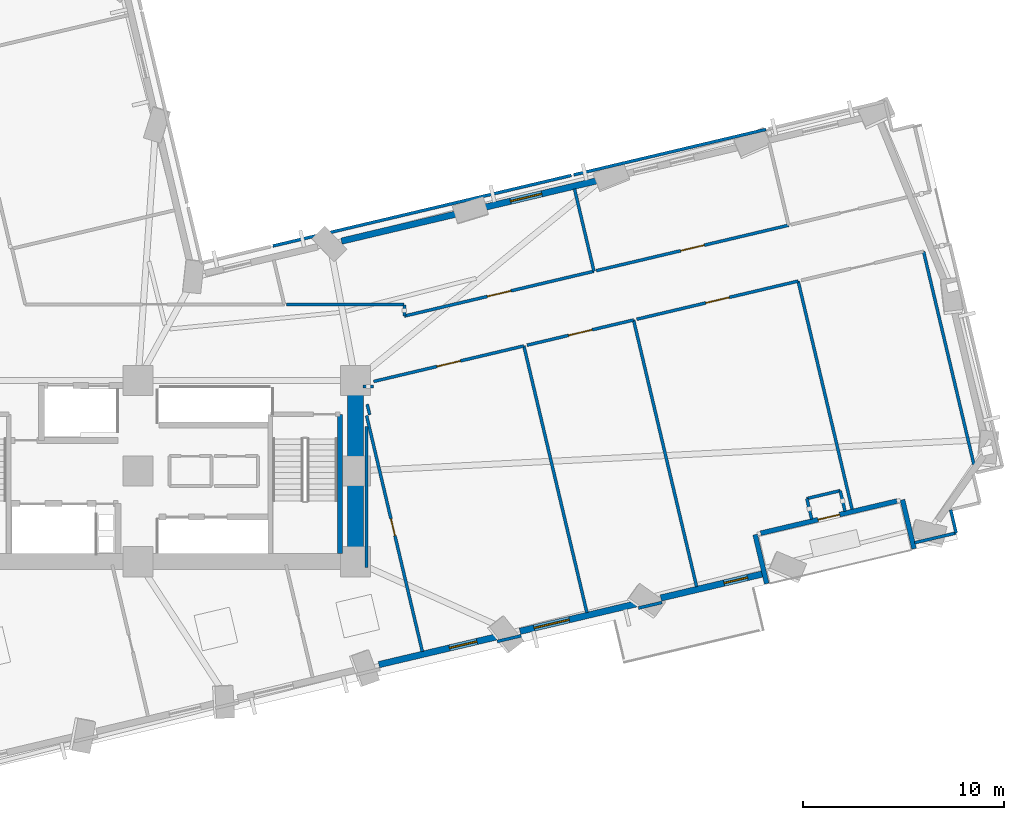
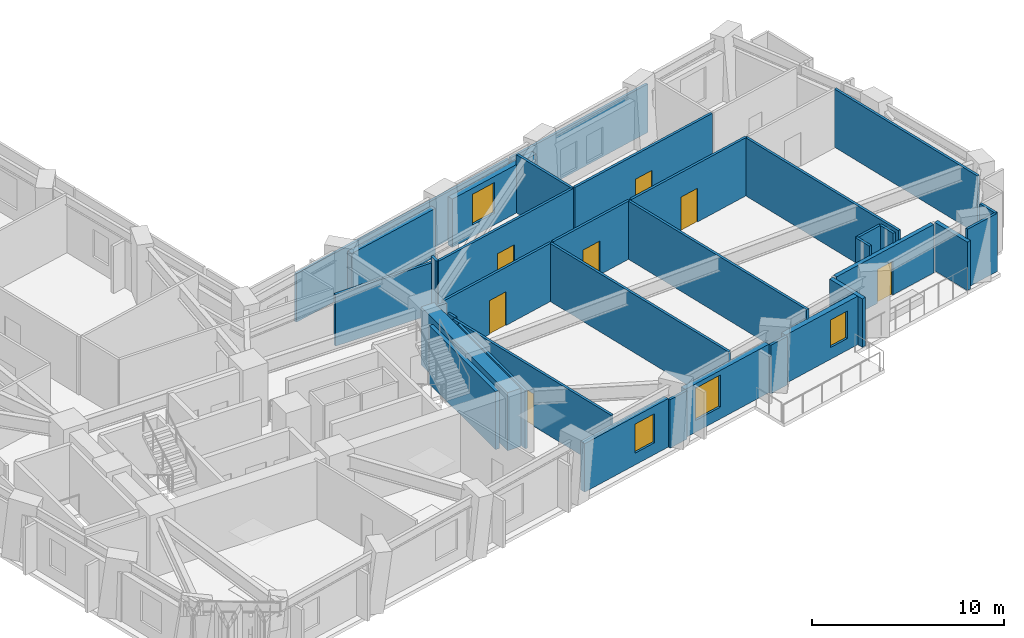
# One storey, part 8 of 14: 35 walls, 7 doors, 4 windows, 11 openings.
"""IFC4 building model written with IfcOpenShell, lengths in metres."""

from ifc_helpers import new_model, si_unit, direction, frame, frame_2d, origin, place, context, subcontext, project, spatial, rectangle, extrude, material, layer, layer_set, type_object, element, fill, save


model = new_model("IFC4")

# Units and contexts
model_context = context("Model", 3, precision=1e-05, world=origin(), true_north=direction((0.0, 1.0)))
body_context = subcontext(model_context, "Body", "Model", "MODEL_VIEW")
ifc_project = project(units=[si_unit("LENGTHUNIT", "METRE"), si_unit("AREAUNIT", "SQUARE_METRE"), si_unit("VOLUMEUNIT", "CUBIC_METRE"), si_unit("PLANEANGLEUNIT", "RADIAN"), si_unit("MASSUNIT", "GRAM", prefix="KILO")], contexts=[model_context])

# Site, building, storey
site_placement = place(None, origin())
site = spatial("IfcSite", under=ifc_project, at=site_placement, CompositionType="ELEMENT")
building_placement = place(site_placement, origin())
building = spatial("IfcBuilding", under=site, at=building_placement, Name="Gaonmaruhae Medical Tower", CompositionType="ELEMENT")
storey_placement = place(building_placement, frame((0.0, 0.0, 79.0)))
storey = spatial("IfcBuildingStorey", under=building, at=storey_placement, Name="L18", CompositionType="ELEMENT", Elevation=79.0)

# Wall
ifc_material_1 = material(Name="Concrete C60/75", Category="concrete")
ifc_layer_1 = layer(ifc_material_1, 0.800048828125)
ifc_layer_set_1 = layer_set([ifc_layer_1], Name="Concrete C60/75")
wall_type_1 = type_object("IfcWallType", Name="CW-800 Lower Core Shear Wall", PredefinedType="SHEAR", material=ifc_layer_set_1)
wall_1_placement = place(storey_placement, frame((35.60009765625, 7.800048828125, 0.0), z_axis=(0.0, 0.0, 1.0), x_axis=(0.0, 1.0, 0.0)))
element("IfcWall", 1, at=wall_1_placement, inside=storey, type_object=wall_type_1, Name="L18 Core Shear Wall CSW-E1", PredefinedType="SHEAR", context=body_context, shape_type="SweptSolid", body=[
    extrude(rectangle(XDim=9.0, YDim=0.800048828125, at=frame_2d((4.5, 0.0))), origin(), (0.0, 0.0, 1.0), 3.699951171875),
])

# Wall, opening, door
ifc_material_2 = material(Name="Precast concrete C45/55", Category="concrete")
ifc_layer_2 = layer(ifc_material_2, 0.239990234375)
ifc_layer_set_2 = layer_set([ifc_layer_2], Name="Precast concrete C45/55")
wall_type_2 = type_object("IfcWallType", Name="EW-240 Ribbon & Shelter Insulated Precast Wall", PredefinedType="SOLIDWALL", material=ifc_layer_set_2)
wall_2_placement = place(storey_placement, frame((62.497802734375, 10.812744140625, 0.0), z_axis=(0.0, 0.0, 1.0), x_axis=(-0.973180186611, -0.230044179209, 0.0)))
wall_2 = element("IfcWall", 2, at=wall_2_placement, inside=storey, type_object=wall_type_2, Name="L18 Recessed Terrace Enclosure Wall TERB", PredefinedType="SOLIDWALL", context=body_context, shape_type="SweptSolid", body=[
    extrude(rectangle(XDim=6.9599609375, YDim=0.239990234375, at=frame_2d((3.47998046875, 0.0))), origin(), (0.0, 0.0, 1.0), 3.0849609375),
])
opening_1_placement = place(wall_2_placement, frame((2.929931640625, 0.0, 0.0)))
opening_1 = element("IfcOpeningElement", 3, at=opening_1_placement, cuts=wall_2, Name="Opening TD-01", PredefinedType="OPENING", context=body_context, shape_type="SweptSolid", body=[
    extrude(rectangle(XDim=1.10009765625, YDim=2.14990234375, at=frame_2d((0.550048828125, 1.074951171875))), frame((0.0, 0.1298828125, 0.0), z_axis=(0.0, -1.0, 0.0), x_axis=(1.0, 0.0, 0.0)), (0.0, 0.0, 1.0), 0.260009765625),
])
ifc_material_3 = material(Name="Anodised aluminium and toughened safety glass", Category="aluminium")
door_type_1 = type_object("IfcDoorType", Name="TD-01 Terrace & Sky Garden Glazed Door 1100x2150", OperationType="NOTDEFINED", PredefinedType="DOOR", material=ifc_material_3)
door_1_placement = place(opening_1_placement, origin())
door_1 = element("IfcDoor", 4, at=door_1_placement, inside=storey, type_object=door_type_1, Name="L18 Outdoor Terrace Access Door SLB-L18-TER", OperationType="SINGLE_SWING_RIGHT", OverallHeight=2.14990234375, OverallWidth=1.10009765625, PredefinedType="DOOR", context=body_context, shape_type="SweptSolid", body=[
    extrude(rectangle(XDim=1.10009765625, YDim=2.14990234375, at=frame_2d((0.550048828125, 1.074951171875))), frame((0.0, 0.02490234375, 0.0), z_axis=(0.0, -1.0, 0.0), x_axis=(1.0, 0.0, 0.0)), (0.0, 0.0, 1.0), 0.050048828125),
])
fill(opening_1, door_1)

# Walls
for number, where, z_axis, x_axis, name in (
    (5, (55.451904296875, 9.147216796875, 0.0), (0.0, 0.0, 1.0), (0.230084311785, -0.97317069904, 0.0), "L18 Recessed Terrace Enclosure Wall TERL"),
    (6, (63.345458984375, 8.4443359375, 0.0), (0.0, 0.0, 1.0), (-0.230084311785, 0.97317069904, 0.0), "L18 Recessed Terrace Enclosure Wall TERR"),
):
    element("IfcWall", number, at=place(storey_placement, frame(where, z_axis=z_axis, x_axis=x_axis)), inside=storey, type_object=wall_type_2, Name=name, PredefinedType="SOLIDWALL", context=body_context, shape_type="SweptSolid", body=[
        extrude(rectangle(XDim=2.5, YDim=0.239990234375, at=frame_2d((1.25, 0.0))), origin(), (0.0, 0.0, 1.0), 3.0849609375),
    ])

# Wall, opening, window
ifc_layer_3 = layer(ifc_material_2, 0.320068359375)
ifc_layer_set_3 = layer_set([ifc_layer_3], Name="Precast concrete C45/55")
wall_type_3 = type_object("IfcWallType", Name="EW-320 Lower Precast Masonry-Frame Facade Wall", PredefinedType="SOLIDWALL", material=ifc_layer_set_3)
wall_3_placement = place(storey_placement, frame((42.58935546875, 4.061767578125, 0.0), z_axis=(0.0, 0.0, 1.0), x_axis=(-0.973176975218, -0.230057764281, 0.0)))
wall_3 = element("IfcWall", 7, at=wall_3_placement, inside=storey, type_object=wall_type_3, Name="L18 Precast Masonry-Frame Wall S04-S05", PredefinedType="SOLIDWALL", context=body_context, shape_type="SweptSolid", body=[
    extrude(rectangle(XDim=5.9853515625, YDim=0.320068359375, at=frame_2d((2.99267578125, 0.0))), origin(), (0.0, 0.0, 1.0), 3.0849609375),
])
opening_2_placement = place(wall_3_placement, frame((0.98388671875, 0.0, 0.75)))
opening_2 = element("IfcOpeningElement", 8, at=opening_2_placement, cuts=wall_3, Name="Opening WN-03", PredefinedType="OPENING", context=body_context, shape_type="SweptSolid", body=[
    extrude(rectangle(XDim=1.39990234375, YDim=1.85009765625, at=frame_2d((0.699951171875, 0.925048828125))), frame((0.0, 0.169921875, 0.0), z_axis=(0.0, -1.0, 0.0), x_axis=(1.0, 0.0, 0.0)), (0.0, 0.0, 1.0), 0.340087890625),
])
ifc_material_4 = material(Name="Anodised aluminium and Low-E double glazing", Category="aluminium")
window_type_1 = type_object("IfcWindowType", Name="WN-03 Isolation Ward Punched Window 1400x1850", PartitioningType="SINGLE_PANEL", PredefinedType="WINDOW", material=ifc_material_4)
window_1_placement = place(opening_2_placement, origin())
window_1 = element("IfcWindow", 9, at=window_1_placement, inside=storey, type_object=window_type_1, Name="L18 Modular Facade Window S04", OverallHeight=1.85009765625, OverallWidth=1.39990234375, PartitioningType="SINGLE_PANEL", PredefinedType="WINDOW", context=body_context, shape_type="SweptSolid", body=[
    extrude(rectangle(XDim=1.39990234375, YDim=1.85009765625, at=frame_2d((0.699951171875, 0.925048828125))), frame((0.0, 0.030029296875, 0.0), z_axis=(0.0, -1.0, 0.0), x_axis=(1.0, 0.0, 0.0)), (0.0, 0.0, 1.0), 0.06005859375),
])
fill(opening_2, window_1)

wall_4_placement = place(storey_placement, frame((49.602294921875, 5.719482421875, 0.0), z_axis=(0.0, 0.0, 1.0), x_axis=(-0.973177813983, -0.230054216157, 0.0)))
wall_4 = element("IfcWall", 10, at=wall_4_placement, inside=storey, type_object=wall_type_3, Name="L18 Precast Masonry-Frame Wall S05-S06", PredefinedType="SOLIDWALL", context=body_context, shape_type="SweptSolid", body=[
    extrude(rectangle(XDim=5.99267578125, YDim=0.320068359375, at=frame_2d((2.996337890625, 0.0))), origin(), (0.0, 0.0, 1.0), 3.0849609375),
])
opening_3_placement = place(wall_4_placement, frame((3.472900390625, 0.0, 0.75)))
opening_3 = element("IfcOpeningElement", 11, at=opening_3_placement, cuts=wall_4, Name="Opening WN-04", PredefinedType="OPENING", context=body_context, shape_type="SweptSolid", body=[
    extrude(rectangle(XDim=1.800048828125, YDim=2.050048828125, at=frame_2d((0.89990234375, 1.02490234375))), frame((0.0, 0.169921875, 0.0), z_axis=(0.0, -1.0, 0.0), x_axis=(1.0, 0.0, 0.0)), (0.0, 0.0, 1.0), 0.340087890625),
])
window_type_2 = type_object("IfcWindowType", Name="WN-04 Clinic & Consult Punched Window 1800x2050", PartitioningType="SINGLE_PANEL", PredefinedType="WINDOW", material=ifc_material_4)
window_2_placement = place(opening_3_placement, origin())
window_2 = element("IfcWindow", 12, at=window_2_placement, inside=storey, type_object=window_type_2, Name="L18 Modular Facade Window S05", OverallHeight=2.050048828125, OverallWidth=1.800048828125, PartitioningType="SINGLE_PANEL", PredefinedType="WINDOW", context=body_context, shape_type="SweptSolid", body=[
    extrude(rectangle(XDim=1.800048828125, YDim=2.050048828125, at=frame_2d((0.89990234375, 1.02490234375))), frame((0.0, 0.030029296875, 0.0), z_axis=(0.0, -1.0, 0.0), x_axis=(1.0, 0.0, 0.0)), (0.0, 0.0, 1.0), 0.06005859375),
])
fill(opening_3, window_2)

wall_5_placement = place(storey_placement, frame((55.890380859375, 7.2060546875, 0.0), z_axis=(0.0, 0.0, 1.0), x_axis=(-0.973176868971, -0.23005821372, 0.0)))
wall_5 = element("IfcWall", 13, at=wall_5_placement, inside=storey, type_object=wall_type_3, Name="L18 Precast Masonry-Frame Wall S06-S07", PredefinedType="SOLIDWALL", context=body_context, shape_type="SweptSolid", body=[
    extrude(rectangle(XDim=5.261474609375, YDim=0.320068359375, at=frame_2d((2.630859375, 0.0))), origin(), (0.0, 0.0, 1.0), 3.0849609375),
])
opening_4_placement = place(wall_5_placement, frame((0.842529296875, 0.0, 0.75)))
opening_4 = element("IfcOpeningElement", 14, at=opening_4_placement, cuts=wall_5, Name="Opening WN-05", PredefinedType="OPENING", context=body_context, shape_type="SweptSolid", body=[
    extrude(rectangle(XDim=1.199951171875, YDim=1.75, at=frame_2d((0.60009765625, 0.875))), frame((0.0, 0.169921875, 0.0), z_axis=(0.0, -1.0, 0.0), x_axis=(1.0, 0.0, 0.0)), (0.0, 0.0, 1.0), 0.340087890625),
])
window_type_3 = type_object("IfcWindowType", Name="WN-05 Support & Staff Punched Window 1200x1750", PartitioningType="SINGLE_PANEL", PredefinedType="WINDOW", material=ifc_material_4)
window_3_placement = place(opening_4_placement, origin())
window_3 = element("IfcWindow", 15, at=window_3_placement, inside=storey, type_object=window_type_3, Name="L18 Modular Facade Window S06", OverallHeight=1.75, OverallWidth=1.199951171875, PartitioningType="SINGLE_PANEL", PredefinedType="WINDOW", context=body_context, shape_type="SweptSolid", body=[
    extrude(rectangle(XDim=1.199951171875, YDim=1.75, at=frame_2d((0.60009765625, 0.875))), frame((0.0, 0.030029296875, 0.0), z_axis=(0.0, -1.0, 0.0), x_axis=(1.0, 0.0, 0.0)), (0.0, 0.0, 1.0), 0.06005859375),
])
fill(opening_4, window_3)

wall_6_placement = place(storey_placement, frame((41.905517578125, 25.376220703125, 0.0), z_axis=(0.0, 0.0, 1.0), x_axis=(0.97318130013, 0.230039468519, 0.0)))
wall_6 = element("IfcWall", 16, at=wall_6_placement, inside=storey, type_object=wall_type_3, Name="L18 Precast Masonry-Frame Wall EN02-EN03", PredefinedType="SOLIDWALL", context=body_context, shape_type="SweptSolid", body=[
    extrude(rectangle(XDim=5.99951171875, YDim=0.320068359375, at=frame_2d((2.999755859375, 0.0))), origin(), (0.0, 0.0, 1.0), 3.0849609375),
])
opening_5_placement = place(wall_6_placement, frame((1.4296875, 0.0, 0.75)))
opening_5 = element("IfcOpeningElement", 17, at=opening_5_placement, cuts=wall_6, Name="Opening WN-01", PredefinedType="OPENING", context=body_context, shape_type="SweptSolid", body=[
    extrude(rectangle(XDim=1.60009765625, YDim=1.949951171875, at=frame_2d((0.800048828125, 0.97509765625))), frame((0.0, 0.169921875, 0.0), z_axis=(0.0, -1.0, 0.0), x_axis=(1.0, 0.0, 0.0)), (0.0, 0.0, 1.0), 0.340087890625),
])
window_type_4 = type_object("IfcWindowType", Name="WN-01 Ward Punched Acoustic Window 1600x1950", PartitioningType="SINGLE_PANEL", PredefinedType="WINDOW", material=ifc_material_4)
window_4_placement = place(opening_5_placement, origin())
window_4 = element("IfcWindow", 18, at=window_4_placement, inside=storey, type_object=window_type_4, Name="L18 Modular Facade Window EN02", OverallHeight=1.949951171875, OverallWidth=1.60009765625, PartitioningType="SINGLE_PANEL", PredefinedType="WINDOW", context=body_context, shape_type="SweptSolid", body=[
    extrude(rectangle(XDim=1.60009765625, YDim=1.949951171875, at=frame_2d((0.800048828125, 0.97509765625))), frame((0.0, 0.030029296875, 0.0), z_axis=(0.0, -1.0, 0.0), x_axis=(1.0, 0.0, 0.0)), (0.0, 0.0, 1.0), 0.06005859375),
])
fill(opening_5, window_4)

# Wall
wall_7_placement = place(storey_placement, frame((34.90234375, 23.720703125, 0.0), z_axis=(0.0, 0.0, 1.0), x_axis=(0.973182953006, 0.230032475923, 0.0)))
element("IfcWall", 19, at=wall_7_placement, inside=storey, type_object=wall_type_3, Name="L18 Precast Masonry-Frame Wall EN03-EN04", PredefinedType="SOLIDWALL", context=body_context, shape_type="SweptSolid", body=[
    extrude(rectangle(XDim=5.987060546875, YDim=0.320068359375, at=frame_2d((2.99365234375, 0.0))), origin(), (0.0, 0.0, 1.0), 3.0849609375),
])

# Wall, opening, door
ifc_material_5 = material(Name="Gypsum board partition", Category="gypsum")
ifc_layer_4 = layer(ifc_material_5, 0.14990234375)
ifc_layer_set_4 = layer_set([ifc_layer_4], Name="Gypsum board partition")
wall_type_4 = type_object("IfcWallType", Name="PW-150 Rated Clinical Corridor Partition", PredefinedType="PARTITIONING", material=ifc_layer_set_4)
wall_8_placement = place(storey_placement, frame((36.14990234375, 15.055908203125, 0.0), z_axis=(0.0, 0.0, 1.0), x_axis=(0.230035574951, -0.973182220479, 0.0)))
wall_8 = element("IfcWall", 20, at=wall_8_placement, inside=storey, type_object=wall_type_4, Name="L18 Interior Partition L18-SUP04-21", PredefinedType="PARTITIONING", context=body_context, shape_type="SweptSolid", body=[
    extrude(rectangle(XDim=12.0458984375, YDim=0.14990234375, at=frame_2d((6.02294921875, 0.0))), origin(), (0.0, 0.0, 1.0), 3.699951171875),
])
opening_6_placement = place(wall_8_placement, frame((5.274169921875, 0.0, 0.0)))
opening_6 = element("IfcOpeningElement", 21, at=opening_6_placement, cuts=wall_8, Name="Opening AD-01", PredefinedType="OPENING", context=body_context, shape_type="SweptSolid", body=[
    extrude(rectangle(XDim=0.860107421875, YDim=2.06005859375, at=frame_2d((0.43017578125, 1.030029296875))), frame((0.0, 0.0849609375, 0.0), z_axis=(0.0, -1.0, 0.0), x_axis=(1.0, 0.0, 0.0)), (0.0, 0.0, 1.0), 0.169921875),
])
ifc_material_6 = material(Name="Powder-coated steel access door", Category="steel")
door_type_2 = type_object("IfcDoorType", Name="AD-01 Riser & Closet Access Fire Door 860x2060", OperationType="NOTDEFINED", PredefinedType="DOOR", material=ifc_material_6)
door_2_placement = place(opening_6_placement, origin())
door_2 = element("IfcDoor", 22, at=door_2_placement, inside=storey, type_object=door_type_2, Name="L18 Clinical Biomedical Charting Office Sliding Door", OperationType="SLIDING_TO_LEFT", OverallHeight=2.06005859375, OverallWidth=0.860107421875, PredefinedType="DOOR", context=body_context, shape_type="SweptSolid", body=[
    extrude(rectangle(XDim=0.860107421875, YDim=2.06005859375, at=frame_2d((0.43017578125, 1.030029296875))), frame((0.0, 0.02490234375, 0.0), z_axis=(0.0, -1.0, 0.0), x_axis=(1.0, 0.0, 0.0)), (0.0, 0.0, 1.0), 0.050048828125),
])
fill(opening_6, door_2)

# Wall
wall_9_placement = place(storey_placement, frame((36.14990234375, 7.5, 0.0), z_axis=(0.0, 0.0, 1.0), x_axis=(0.0, 1.0, 0.0)))
element("IfcWall", 23, at=wall_9_placement, inside=storey, type_object=wall_type_4, Name="L18 Interior Partition L18-SUP04-23", PredefinedType="PARTITIONING", context=body_context, shape_type="SweptSolid", body=[
    extrude(rectangle(XDim=7.012939453125, YDim=0.14990234375, at=frame_2d((3.50634765625, 0.0))), origin(), (0.0, 0.0, 1.0), 3.699951171875),
])

# Wall, opening, door
wall_10_placement = place(storey_placement, frame((36.5, 16.7509765625, 0.0), z_axis=(0.0, 0.0, 1.0), x_axis=(0.973158565996, 0.230135623987, 0.0)))
wall_10 = element("IfcWall", 24, at=wall_10_placement, inside=storey, type_object=wall_type_4, Name="L18 Interior Partition L18-SUP05-24", PredefinedType="PARTITIONING", context=body_context, shape_type="SweptSolid", body=[
    extrude(rectangle(XDim=7.669921875, YDim=0.14990234375, at=frame_2d((3.8349609375, 0.0))), origin(), (0.0, 0.0, 1.0), 3.699951171875),
])
opening_7_placement = place(wall_10_placement, frame((3.23486328125, 0.0, 0.0)))
opening_7 = element("IfcOpeningElement", 25, at=opening_7_placement, cuts=wall_10, Name="Opening CD-02", PredefinedType="OPENING", context=body_context, shape_type="SweptSolid", body=[
    extrude(rectangle(XDim=1.199951171875, YDim=2.14990234375, at=frame_2d((0.60009765625, 1.074951171875))), frame((0.0, 0.0849609375, 0.0), z_axis=(0.0, -1.0, 0.0), x_axis=(1.0, 0.0, 0.0)), (0.0, 0.0, 1.0), 0.169921875),
])
ifc_material_7 = material(Name="Antimicrobial laminate timber fire door", Category="wood")
door_type_3 = type_object("IfcDoorType", Name="CD-02 Clinical Treatment & Procedure Door 1200x2150", OperationType="NOTDEFINED", PredefinedType="DOOR", material=ifc_material_7)
door_3_placement = place(opening_7_placement, origin())
door_3 = element("IfcDoor", 26, at=door_3_placement, inside=storey, type_object=door_type_3, Name="L18 Clinical Biomedical Charting Office Door", OperationType="SINGLE_SWING_LEFT", OverallHeight=2.14990234375, OverallWidth=1.199951171875, PredefinedType="DOOR", context=body_context, shape_type="SweptSolid", body=[
    extrude(rectangle(XDim=1.199951171875, YDim=2.14990234375, at=frame_2d((0.60009765625, 1.074951171875))), frame((0.0, 0.02490234375, 0.0), z_axis=(0.0, -1.0, 0.0), x_axis=(1.0, 0.0, 0.0)), (0.0, 0.0, 1.0), 0.050048828125),
])
fill(opening_7, door_3)

# Walls
wall_11_placement = place(storey_placement, frame((43.964111328125, 18.51611328125, 0.0), z_axis=(0.0, 0.0, 1.0), x_axis=(0.230026689043, -0.97318432084, 0.0)))
element("IfcWall", 27, at=wall_11_placement, inside=storey, type_object=wall_type_4, Name="L18 Interior Partition L18-SUP05-25", PredefinedType="PARTITIONING", context=body_context, shape_type="SweptSolid", body=[
    extrude(rectangle(XDim=13.614990234375, YDim=0.14990234375, at=frame_2d((6.8076171875, 0.0))), origin(), (0.0, 0.0, 1.0), 3.699951171875),
])
wall_12_placement = place(storey_placement, frame((43.822998046875, 4.116943359375, 0.0), z_axis=(0.0, 0.0, 1.0), x_axis=(-0.973197713675, -0.229970019998, 0.0)))
element("IfcWall", 28, at=wall_12_placement, inside=storey, type_object=wall_type_4, Name="L18 Interior Partition L18-SUP05-26", PredefinedType="PARTITIONING", context=body_context, shape_type="SweptSolid", body=[
    extrude(rectangle(XDim=1.21337890625, YDim=0.14990234375, at=frame_2d((0.606689453125, 0.0))), origin(), (0.0, 0.0, 1.0), 3.0849609375),
])
wall_13_placement = place(storey_placement, frame((36.305908203125, 15.093017578125, 0.0), z_axis=(0.0, 0.0, 1.0), x_axis=(-0.230834223704, 0.9729930941, 0.0)))
element("IfcWall", 29, at=wall_13_placement, inside=storey, type_object=wall_type_4, Name="L18 Interior Partition L18-SUP05-27", PredefinedType="PARTITIONING", context=body_context, shape_type="SweptSolid", body=[
    extrude(rectangle(XDim=0.545654296875, YDim=0.14990234375, at=frame_2d((0.27294921875, 0.0))), origin(), (0.0, 0.0, 1.0), 3.699951171875),
])
wall_14_placement = place(storey_placement, frame((35.972900390625, 16.5, 0.0), z_axis=(0.0, 0.0, 1.0), x_axis=(1.0, 0.0, 0.0)))
element("IfcWall", 30, at=wall_14_placement, inside=storey, type_object=wall_type_4, Name="L18 Interior Partition L18-SUP05-28", PredefinedType="PARTITIONING", context=body_context, shape_type="SweptSolid", body=[
    extrude(rectangle(XDim=0.527099609375, YDim=0.14990234375, at=frame_2d((0.263671875, 0.0))), origin(), (0.0, 0.0, 1.0), 3.699951171875),
])

# Wall, opening, door
wall_15_placement = place(storey_placement, frame((44.118896484375, 18.552001953125, 0.0), z_axis=(0.0, 0.0, 1.0), x_axis=(0.973159948665, 0.230129777116, 0.0)))
wall_15 = element("IfcWall", 31, at=wall_15_placement, inside=storey, type_object=wall_type_4, Name="L18 Interior Partition L18-SUP06-29", PredefinedType="PARTITIONING", context=body_context, shape_type="SweptSolid", body=[
    extrude(rectangle(XDim=5.440185546875, YDim=0.14990234375, at=frame_2d((2.72021484375, 0.0))), origin(), (0.0, 0.0, 1.0), 3.699951171875),
])
opening_8_placement = place(wall_15_placement, frame((2.1201171875, 0.0, 0.0)))
opening_8 = element("IfcOpeningElement", 32, at=opening_8_placement, cuts=wall_15, Name="Opening CD-02", PredefinedType="OPENING", context=body_context, shape_type="SweptSolid", body=[
    extrude(rectangle(XDim=1.199951171875, YDim=2.14990234375, at=frame_2d((0.60009765625, 1.074951171875))), frame((0.0, 0.0849609375, 0.0), z_axis=(0.0, -1.0, 0.0), x_axis=(1.0, 0.0, 0.0)), (0.0, 0.0, 1.0), 0.169921875),
])
door_4_placement = place(opening_8_placement, origin())
door_4 = element("IfcDoor", 33, at=door_4_placement, inside=storey, type_object=door_type_3, Name="L18 Clinical Biomedical Charting Office Door", OperationType="SINGLE_SWING_LEFT", OverallHeight=2.14990234375, OverallWidth=1.199951171875, PredefinedType="DOOR", context=body_context, shape_type="SweptSolid", body=[
    extrude(rectangle(XDim=1.199951171875, YDim=2.14990234375, at=frame_2d((0.60009765625, 1.074951171875))), frame((0.0, 0.02490234375, 0.0), z_axis=(0.0, -1.0, 0.0), x_axis=(1.0, 0.0, 0.0)), (0.0, 0.0, 1.0), 0.050048828125),
])
fill(opening_8, door_4)

# Walls
wall_16_placement = place(storey_placement, frame((49.4130859375, 19.803955078125, 0.0), z_axis=(0.0, 0.0, 1.0), x_axis=(0.230094618591, -0.97316826217, 0.0)))
element("IfcWall", 34, at=wall_16_placement, inside=storey, type_object=wall_type_4, Name="L18 Interior Partition L18-SUP06-30", PredefinedType="PARTITIONING", context=body_context, shape_type="SweptSolid", body=[
    extrude(rectangle(XDim=13.615234375, YDim=0.14990234375, at=frame_2d((6.8076171875, 0.0))), origin(), (0.0, 0.0, 1.0), 3.699951171875),
])
wall_17_placement = place(storey_placement, frame((50.822998046875, 5.77197265625, 0.0), z_axis=(0.0, 0.0, 1.0), x_axis=(-0.973219377469, -0.229878322855, 0.0)))
element("IfcWall", 35, at=wall_17_placement, inside=storey, type_object=wall_type_4, Name="L18 Interior Partition L18-SUP06-31", PredefinedType="PARTITIONING", context=body_context, shape_type="SweptSolid", body=[
    extrude(rectangle(XDim=1.2001953125, YDim=0.14990234375, at=frame_2d((0.60009765625, 0.0))), origin(), (0.0, 0.0, 1.0), 3.0849609375),
])

# Wall, opening, door
wall_18_placement = place(storey_placement, frame((49.569091796875, 19.841064453125, 0.0), z_axis=(0.0, 0.0, 1.0), x_axis=(0.973193656839, 0.229987187224, 0.0)))
wall_18 = element("IfcWall", 36, at=wall_18_placement, inside=storey, type_object=wall_type_4, Name="L18 Interior Partition L18-SUP07-32", PredefinedType="PARTITIONING", context=body_context, shape_type="SweptSolid", body=[
    extrude(rectangle(XDim=8.23974609375, YDim=0.14990234375, at=frame_2d((4.119873046875, 0.0))), origin(), (0.0, 0.0, 1.0), 3.699951171875),
])
opening_9_placement = place(wall_18_placement, frame((3.52001953125, 0.0, 0.0)))
opening_9 = element("IfcOpeningElement", 37, at=opening_9_placement, cuts=wall_18, Name="Opening CD-02", PredefinedType="OPENING", context=body_context, shape_type="SweptSolid", body=[
    extrude(rectangle(XDim=1.199951171875, YDim=2.14990234375, at=frame_2d((0.60009765625, 1.074951171875))), frame((0.0, 0.0849609375, 0.0), z_axis=(0.0, -1.0, 0.0), x_axis=(1.0, 0.0, 0.0)), (0.0, 0.0, 1.0), 0.169921875),
])
door_5_placement = place(opening_9_placement, origin())
door_5 = element("IfcDoor", 38, at=door_5_placement, inside=storey, type_object=door_type_3, Name="L18 Clinical Biomedical Charting Office Door", OperationType="SINGLE_SWING_RIGHT", OverallHeight=2.14990234375, OverallWidth=1.199951171875, PredefinedType="DOOR", context=body_context, shape_type="SweptSolid", body=[
    extrude(rectangle(XDim=1.199951171875, YDim=2.14990234375, at=frame_2d((0.60009765625, 1.074951171875))), frame((0.0, 0.02490234375, 0.0), z_axis=(0.0, -1.0, 0.0), x_axis=(1.0, 0.0, 0.0)), (0.0, 0.0, 1.0), 0.050048828125),
])
fill(opening_9, door_5)

# Walls
wall_19_placement = place(storey_placement, frame((57.587890625, 21.736083984375, 0.0), z_axis=(0.0, 0.0, 1.0), x_axis=(0.230096091154, -0.973167913998, 0.0)))
element("IfcWall", 39, at=wall_19_placement, inside=storey, type_object=wall_type_4, Name="L18 Interior Partition L18-SUP07-33", PredefinedType="PARTITIONING", context=body_context, shape_type="SweptSolid", body=[
    extrude(rectangle(XDim=11.6650390625, YDim=0.14990234375, at=frame_2d((5.83251953125, 0.0))), origin(), (0.0, 0.0, 1.0), 3.699951171875),
])
wall_20_placement = place(storey_placement, frame((59.9169921875, 10.300048828125, 0.0), z_axis=(0.0, 0.0, 1.0), x_axis=(-0.230212703989, 0.97314033465, 0.0)))
element("IfcWall", 40, at=wall_20_placement, inside=storey, type_object=wall_type_4, Name="L18 Interior Partition L18-SUP07-34", PredefinedType="PARTITIONING", context=body_context, shape_type="SweptSolid", body=[
    extrude(rectangle(XDim=1.05517578125, YDim=0.14990234375, at=frame_2d((0.527587890625, 0.0))), origin(), (0.0, 0.0, 1.0), 3.699951171875),
])
wall_21_placement = place(storey_placement, frame((59.674072265625, 11.326904296875, 0.0), z_axis=(0.0, 0.0, 1.0), x_axis=(-0.973226668125, -0.229847454738, 0.0)))
element("IfcWall", 41, at=wall_21_placement, inside=storey, type_object=wall_type_4, Name="L18 Interior Partition L18-SUP07-35", PredefinedType="PARTITIONING", context=body_context, shape_type="SweptSolid", body=[
    extrude(rectangle(XDim=1.700439453125, YDim=0.14990234375, at=frame_2d((0.85009765625, 0.0))), origin(), (0.0, 0.0, 1.0), 3.699951171875),
])
wall_22_placement = place(storey_placement, frame((58.01904296875, 10.93603515625, 0.0), z_axis=(0.0, 0.0, 1.0), x_axis=(0.230160881779, -0.973152592607, 0.0)))
element("IfcWall", 42, at=wall_22_placement, inside=storey, type_object=wall_type_4, Name="L18 Interior Partition L18-SUP07-36", PredefinedType="PARTITIONING", context=body_context, shape_type="SweptSolid", body=[
    extrude(rectangle(XDim=1.055419921875, YDim=0.14990234375, at=frame_2d((0.52783203125, 0.0))), origin(), (0.0, 0.0, 1.0), 3.699951171875),
])
wall_23_placement = place(storey_placement, frame((65.1650390625, 10.375, 0.0), z_axis=(0.0, 0.0, 1.0), x_axis=(0.230353026145, -0.973107128401, 0.0)))
element("IfcWall", 43, at=wall_23_placement, inside=storey, type_object=wall_type_4, Name="L18 Interior Partition L18-SUP08-38", PredefinedType="PARTITIONING", context=body_context, shape_type="SweptSolid", body=[
    extrude(rectangle(XDim=1.1806640625, YDim=0.14990234375, at=frame_2d((0.59033203125, 0.0))), origin(), (0.0, 0.0, 1.0), 3.699951171875),
])
wall_24_placement = place(storey_placement, frame((65.43701171875, 9.22607421875, 0.0), z_axis=(0.0, 0.0, 1.0), x_axis=(-0.973267487159, -0.229674548957, 0.0)))
element("IfcWall", 44, at=wall_24_placement, inside=storey, type_object=wall_type_4, Name="L18 Interior Partition L18-SUP08-39", PredefinedType="PARTITIONING", context=body_context, shape_type="SweptSolid", body=[
    extrude(rectangle(XDim=2.12060546875, YDim=0.14990234375, at=frame_2d((1.060302734375, 0.0))), origin(), (0.0, 0.0, 1.0), 3.699951171875),
])
wall_25_placement = place(storey_placement, frame((63.81689453125, 23.208984375, 0.0), z_axis=(0.0, 0.0, 1.0), x_axis=(0.230035494886, -0.973182239405, 0.0)))
element("IfcWall", 45, at=wall_25_placement, inside=storey, type_object=wall_type_4, Name="L18 Interior Partition L18-SUP08-41", PredefinedType="PARTITIONING", context=body_context, shape_type="SweptSolid", body=[
    extrude(rectangle(XDim=10.885986328125, YDim=0.14990234375, at=frame_2d((5.44287109375, 0.0))), origin(), (0.0, 0.0, 1.0), 3.699951171875),
])
wall_26_placement = place(storey_placement, frame((38.0, 20.580078125, 0.0), z_axis=(0.0, 0.0, 1.0), x_axis=(-1.0, 0.0, 0.0)))
element("IfcWall", 46, at=wall_26_placement, inside=storey, type_object=wall_type_4, Name="L18 Interior Partition L18-IE02-65", PredefinedType="PARTITIONING", context=body_context, shape_type="SweptSolid", body=[
    extrude(rectangle(XDim=5.81494140625, YDim=0.14990234375, at=frame_2d((2.907470703125, 0.0))), origin(), (0.0, 0.0, 1.0), 3.284912109375),
])
wall_27_placement = place(storey_placement, frame((31.4990234375, 23.48095703125, 0.0), z_axis=(0.0, 0.0, 1.0), x_axis=(0.973176783589, 0.230058574897, 0.0)))
element("IfcWall", 47, at=wall_27_placement, inside=storey, type_object=wall_type_4, Name="L18 Interior Partition L18-IE02-66", PredefinedType="PARTITIONING", context=body_context, shape_type="SweptSolid", body=[
    extrude(rectangle(XDim=15.2314453125, YDim=0.14990234375, at=frame_2d((7.61572265625, 0.0))), origin(), (0.0, 0.0, 1.0), 3.0849609375),
])
wall_28_placement = place(storey_placement, frame((46.47900390625, 26.319091796875, 0.0), z_axis=(0.0, 0.0, 1.0), x_axis=(0.229935488388, -0.973205872968, 0.0)))
element("IfcWall", 48, at=wall_28_placement, inside=storey, type_object=wall_type_4, Name="L18 Interior Partition L18-IE02-67", PredefinedType="PARTITIONING", context=body_context, shape_type="SweptSolid", body=[
    extrude(rectangle(XDim=4.205810546875, YDim=0.14990234375, at=frame_2d((2.10302734375, 0.0))), origin(), (0.0, 0.0, 1.0), 3.699951171875),
])

# Wall, opening, door
wall_29_placement = place(storey_placement, frame((47.446044921875, 22.22607421875, 0.0), z_axis=(0.0, 0.0, 1.0), x_axis=(-0.973173725455, -0.230071510804, 0.0)))
wall_29 = element("IfcWall", 49, at=wall_29_placement, inside=storey, type_object=wall_type_4, Name="L18 Interior Partition L18-IE02-68", PredefinedType="PARTITIONING", context=body_context, shape_type="SweptSolid", body=[
    extrude(rectangle(XDim=9.675537109375, YDim=0.14990234375, at=frame_2d((4.837890625, 0.0))), origin(), (0.0, 0.0, 1.0), 3.699951171875),
])
opening_10_placement = place(wall_29_placement, frame((4.23779296875, 0.0, 0.0)))
opening_10 = element("IfcOpeningElement", 50, at=opening_10_placement, cuts=wall_29, Name="Opening CD-02", PredefinedType="OPENING", context=body_context, shape_type="SweptSolid", body=[
    extrude(rectangle(XDim=1.199951171875, YDim=2.14990234375, at=frame_2d((0.60009765625, 1.074951171875))), frame((0.0, 0.0849609375, 0.0), z_axis=(0.0, -1.0, 0.0), x_axis=(1.0, 0.0, 0.0)), (0.0, 0.0, 1.0), 0.169921875),
])
door_6_placement = place(opening_10_placement, origin())
door_6 = element("IfcDoor", 51, at=door_6_placement, inside=storey, type_object=door_type_3, Name="L18 Acute Treatment Examination Room Door", OperationType="SINGLE_SWING_RIGHT", OverallHeight=2.14990234375, OverallWidth=1.199951171875, PredefinedType="DOOR", context=body_context, shape_type="SweptSolid", body=[
    extrude(rectangle(XDim=1.199951171875, YDim=2.14990234375, at=frame_2d((0.60009765625, 1.074951171875))), frame((0.0, 0.02490234375, 0.0), z_axis=(0.0, -1.0, 0.0), x_axis=(1.0, 0.0, 0.0)), (0.0, 0.0, 1.0), 0.050048828125),
])
fill(opening_10, door_6)

# Wall
wall_30_placement = place(storey_placement, frame((38.030029296875, 20.0, 0.0), z_axis=(0.0, 0.0, 1.0), x_axis=(0.0, 1.0, 0.0)))
element("IfcWall", 52, at=wall_30_placement, inside=storey, type_object=wall_type_4, Name="L18 Interior Partition L18-IE02-69", PredefinedType="PARTITIONING", context=body_context, shape_type="SweptSolid", body=[
    extrude(rectangle(XDim=0.552978515625, YDim=0.14990234375, at=frame_2d((0.2763671875, 0.0))), origin(), (0.0, 0.0, 1.0), 3.699951171875),
])

# Wall, opening, door
wall_31_placement = place(storey_placement, frame((57.113037109375, 24.510986328125, 0.0), z_axis=(0.0, 0.0, 1.0), x_axis=(-0.973189270561, -0.230005747024, 0.0)))
wall_31 = element("IfcWall", 53, at=wall_31_placement, inside=storey, type_object=wall_type_4, Name="L18 Interior Partition L18-IE03-70", PredefinedType="PARTITIONING", context=body_context, shape_type="SweptSolid", body=[
    extrude(rectangle(XDim=9.813232421875, YDim=0.14990234375, at=frame_2d((4.90673828125, 0.0))), origin(), (0.0, 0.0, 1.0), 3.699951171875),
])
opening_11_placement = place(wall_31_placement, frame((4.306396484375, 0.0, 0.0)))
opening_11 = element("IfcOpeningElement", 54, at=opening_11_placement, cuts=wall_31, Name="Opening CD-02", PredefinedType="OPENING", context=body_context, shape_type="SweptSolid", body=[
    extrude(rectangle(XDim=1.199951171875, YDim=2.14990234375, at=frame_2d((0.60009765625, 1.074951171875))), frame((0.0, 0.0849609375, 0.0), z_axis=(0.0, -1.0, 0.0), x_axis=(1.0, 0.0, 0.0)), (0.0, 0.0, 1.0), 0.169921875),
])
door_7_placement = place(opening_11_placement, origin())
door_7 = element("IfcDoor", 55, at=door_7_placement, inside=storey, type_object=door_type_3, Name="L18 Clean Medication Preparation Room Door", OperationType="SINGLE_SWING_LEFT", OverallHeight=2.14990234375, OverallWidth=1.199951171875, PredefinedType="DOOR", context=body_context, shape_type="SweptSolid", body=[
    extrude(rectangle(XDim=1.199951171875, YDim=2.14990234375, at=frame_2d((0.60009765625, 1.074951171875))), frame((0.0, 0.02490234375, 0.0), z_axis=(0.0, -1.0, 0.0), x_axis=(1.0, 0.0, 0.0)), (0.0, 0.0, 1.0), 0.050048828125),
])
fill(opening_11, door_7)

# Walls
wall_32_placement = place(storey_placement, frame((46.43798828125, 27.012939453125, 0.0), z_axis=(0.0, 0.0, 1.0), x_axis=(0.973189270561, 0.230005747024, 0.0)))
element("IfcWall", 56, at=wall_32_placement, inside=storey, type_object=wall_type_4, Name="L18 Interior Partition L18-IE03-71", PredefinedType="PARTITIONING", context=body_context, shape_type="SweptSolid", body=[
    extrude(rectangle(XDim=9.813232421875, YDim=0.14990234375, at=frame_2d((4.90673828125, 0.0))), origin(), (0.0, 0.0, 1.0), 3.0849609375),
])
ifc_material_8 = material(Name="Concrete C50/60", Category="concrete")
ifc_layer_5 = layer(ifc_material_8, 0.239990234375)
ifc_layer_set_5 = layer_set([ifc_layer_5], Name="Concrete C50/60")
wall_type_5 = type_object("IfcWallType", Name="SW-240 Dogleg Stair Tight Shaft Wall", PredefinedType="SOLIDWALL", material=ifc_layer_set_5)
wall_33_placement = place(storey_placement, frame((34.830078125, 15.1201171875, 0.0), z_axis=(0.0, 0.0, 1.0), x_axis=(0.0, -1.0, 0.0)))
element("IfcWall", 57, at=wall_33_placement, inside=storey, type_object=wall_type_5, Name="L18 ST-02 Stair Shaft Wall SHW-ST-02-E", PredefinedType="SOLIDWALL", context=body_context, shape_type="SweptSolid", body=[
    extrude(rectangle(XDim=6.920166015625, YDim=0.239990234375, at=frame_2d((3.4599609375, 0.0))), origin(), (0.0, 0.0, 1.0), 3.699951171875),
])

save(model, "model.ifc")
